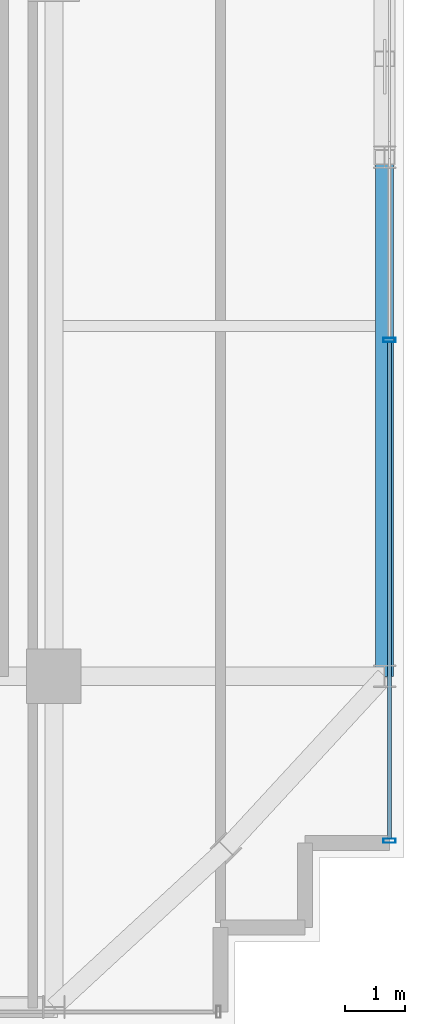
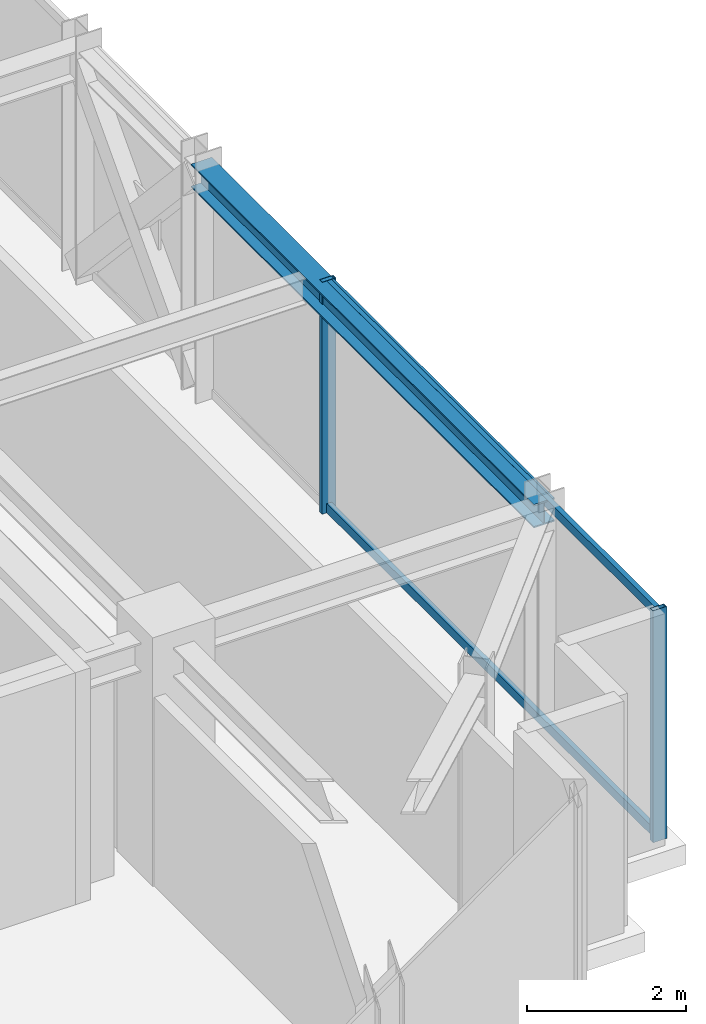
# One storey, part 16 of 37: 4 members, 1 beam, 1 element without a shape of its own.
"""IFC4 building model written with IfcOpenShell, lengths in metres."""

from ifc_helpers import new_model, si_unit, direction, frame, origin, origin_2d, place, context, subcontext, project, spatial, hollow_rectangle, i_section, extrude, source, transform, mapped, material, material_profile, profile_set, type_object, element, aggregate, save


model = new_model("IFC4")

# Units and contexts
model_context = context("Model", 3, precision=1e-05, world=origin(), true_north=direction((0.0, 1.0)))
body_context = subcontext(model_context, "Body", "Model", "MODEL_VIEW")
ifc_project = project(units=[si_unit("LENGTHUNIT", "METRE"), si_unit("AREAUNIT", "SQUARE_METRE"), si_unit("VOLUMEUNIT", "CUBIC_METRE"), si_unit("PLANEANGLEUNIT", "RADIAN"), si_unit("MASSUNIT", "GRAM", prefix="KILO")], contexts=[model_context])

# Site, building, storey
site_placement = place(None, origin())
site = spatial("IfcSite", under=ifc_project, at=site_placement, CompositionType="ELEMENT")
building_placement = place(site_placement, origin())
building = spatial("IfcBuilding", under=site, at=building_placement, Name="Nahalor Promenade Grand Hotel", CompositionType="ELEMENT")
storey_placement = place(building_placement, frame((0.0, 0.0, 308.050048828125)))
storey = spatial("IfcBuildingStorey", under=building, at=storey_placement, Name="L79", CompositionType="ELEMENT", Elevation=308.050048828125)

# Beam
ifc_material_1 = material(Name="Steel S355JR", Category="steel")
ifc_material_profile_1 = material_profile(ifc_material_1, i_section(OverallWidth=0.3, OverallDepth=0.36, WebThickness=0.0125, FlangeThickness=0.0225, at=origin_2d()), Name="HEB 360")
ifc_profile_set_1 = profile_set([ifc_material_profile_1], Name="Steel S355JR")
beam_type = type_object("IfcBeamType", Name="Beam-Spandrel-HEB360", PredefinedType="SPANDREL", material=ifc_profile_set_1)
shared_shape_1 = source(origin(), body_context, "Body", "SweptSolid", [
    extrude(i_section(OverallWidth=0.3, OverallDepth=0.36, WebThickness=0.0125, FlangeThickness=0.0225, at=origin_2d()), origin(), (0.0, 0.0, 1.0), 8.60009765625),
])
beam_placement = place(storey_placement, frame((22.47998046875, -17.0, 3.369873046875), z_axis=(0.0, 1.0, 0.0), x_axis=(-1.0, 0.0, 0.0)))
element("IfcBeam", 1, at=beam_placement, inside=storey, type_object=beam_type, Name="BM-L79-SP-E-0", PredefinedType="SPANDREL", context=body_context, shape_type="MappedRepresentation", body=[
    mapped(shared_shape_1, transform((0.0, 0.0, 0.0), scale=1.0)),
])

# Curtain wall, members
ifc_material_2 = material(Name="Anodised Bronze Aluminium EN AW-6063 T6", Category="aluminium")
curtain_wall_type = type_object("IfcCurtainWallType", Name="CW3 Elliptical-Void Collar Unitised Curtain Wall", PredefinedType="USERDEFINED", material=ifc_material_2)
curtain_wall_placement = place(storey_placement, origin())
curtain_wall = element("IfcCurtainWall", 2, at=curtain_wall_placement, inside=storey, type_object=curtain_wall_type, Name="L79 Curtain Wall CW-L79-E-1", ObjectType="UNITISED_CURTAIN_WALL", PredefinedType="USERDEFINED")
ifc_material_profile_2 = material_profile(ifc_material_2, hollow_rectangle(XDim=0.07, YDim=0.14, WallThickness=0.004, at=origin_2d()), Name="CWT 70x140x4")
ifc_profile_set_2 = profile_set([ifc_material_profile_2], Name="Anodised Bronze Aluminium EN AW-6063 T6")
member_type_1 = type_object("IfcMemberType", Name="CWT3 Void Collar Transom 70x140", PredefinedType="USERDEFINED", material=ifc_profile_set_2)
shared_shape_2 = source(origin(), body_context, "Body", "SweptSolid", [
    extrude(hollow_rectangle(XDim=0.07, YDim=0.14, WallThickness=0.004, at=origin_2d()), origin(), (0.0, 0.0, 1.0), 8.224853515625),
])
member_1_placement = place(storey_placement, frame((22.56005859375, -19.68994140625, 0.070068359375), z_axis=(0.0, 1.0, 0.0), x_axis=(-1.0, 0.0, 0.0)))
member_1 = element("IfcMember", 3, at=member_1_placement, type_object=member_type_1, Name="CW-L79-E-1 Transom 0-0", ObjectType="TRANSOM", PredefinedType="USERDEFINED", context=body_context, shape_type="MappedRepresentation", body=[
    mapped(shared_shape_2, transform((0.0, 0.0, 0.0), scale=1.0)),
])
member_2_placement = place(storey_placement, frame((22.56005859375, -19.68994140625, 3.47998046875), z_axis=(0.0, 1.0, 0.0), x_axis=(-1.0, 0.0, 0.0)))
member_2 = element("IfcMember", 4, at=member_2_placement, type_object=member_type_1, Name="CW-L79-E-1 Transom 0-1", ObjectType="TRANSOM", PredefinedType="USERDEFINED", context=body_context, shape_type="MappedRepresentation", body=[
    mapped(shared_shape_2, transform((0.0, 0.0, 0.0), scale=1.0)),
])
ifc_material_profile_3 = material_profile(ifc_material_2, hollow_rectangle(XDim=0.07, YDim=0.2, WallThickness=0.005, at=origin_2d()), Name="CWM 70x200x5")
ifc_profile_set_3 = profile_set([ifc_material_profile_3], Name="Anodised Bronze Aluminium EN AW-6063 T6")
member_type_2 = type_object("IfcMemberType", Name="CWM3 Void Collar Mullion 70x200", PredefinedType="MULLION", material=ifc_profile_set_3)
shared_shape_3 = source(origin(), body_context, "Body", "SweptSolid", [
    extrude(hollow_rectangle(XDim=0.07, YDim=0.2, WallThickness=0.005, at=origin_2d()), origin(), (0.0, 0.0, 1.0), 3.550048828125),
])
member_3_placement = place(storey_placement, frame((22.56005859375, -19.72509765625, 0.0), z_axis=(0.0, 0.0, 1.0), x_axis=(0.0, 1.0, 0.0)))
member_3 = element("IfcMember", 5, at=member_3_placement, type_object=member_type_2, Name="CW-L79-E-1 Mullion 0", PredefinedType="MULLION", context=body_context, shape_type="MappedRepresentation", body=[
    mapped(shared_shape_3, transform((0.0, 0.0, 0.0), scale=1.0)),
])
member_4_placement = place(storey_placement, frame((22.56005859375, -11.429931640625, 0.0), z_axis=(0.0, 0.0, 1.0), x_axis=(0.0, 1.0, 0.0)))
member_4 = element("IfcMember", 6, at=member_4_placement, type_object=member_type_2, Name="CW-L79-E-1 Mullion 1", PredefinedType="MULLION", context=body_context, shape_type="MappedRepresentation", body=[
    mapped(shared_shape_3, transform((0.0, 0.0, 0.0), scale=1.0)),
])
aggregate(curtain_wall, [member_3, member_4, member_1, member_2])

save(model, "model.ifc")
